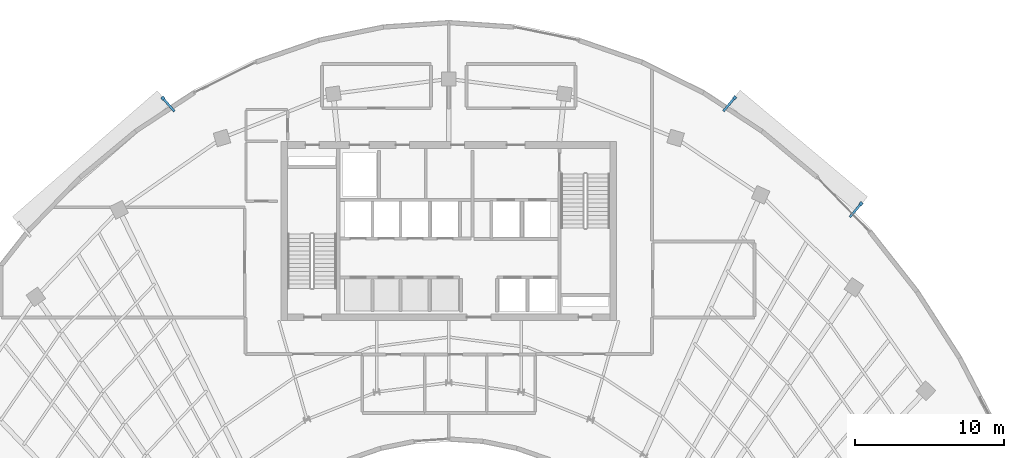
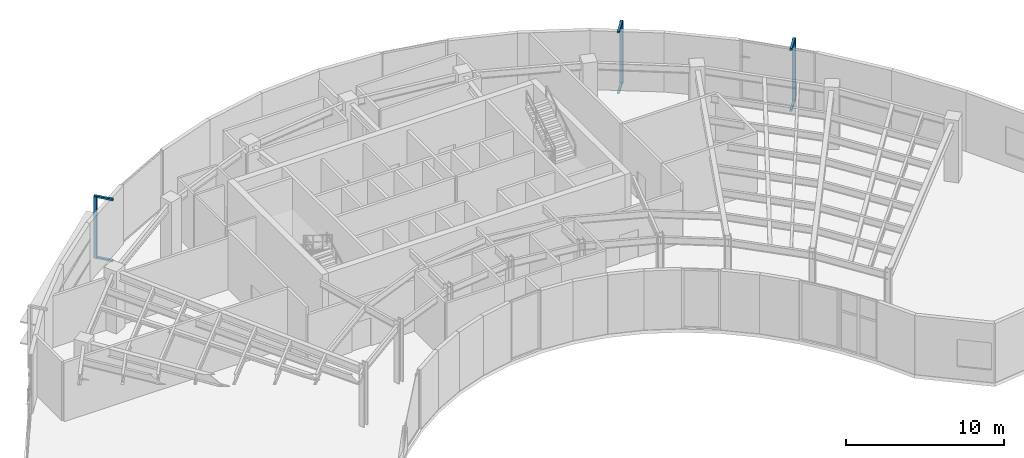
# One storey, part 12 of 15: 9 discrete accessories.
"""IFC4 building model written with IfcOpenShell, lengths in metres."""

from ifc_helpers import new_model, si_unit, direction, frame, origin, origin_2d, place, context, subcontext, project, spatial, rectangle, extrude, source, transform, mapped, material, type_object, type_shapes, element, save


model = new_model("IFC4")

# Units and contexts
model_context = context("Model", 3, precision=1e-05, world=origin(), true_north=direction((0.0, 1.0)))
body_context = subcontext(model_context, "Body", "Model", "MODEL_VIEW")
ifc_project = project(units=[si_unit("LENGTHUNIT", "METRE"), si_unit("AREAUNIT", "SQUARE_METRE"), si_unit("VOLUMEUNIT", "CUBIC_METRE"), si_unit("PLANEANGLEUNIT", "RADIAN"), si_unit("MASSUNIT", "GRAM", prefix="KILO")], contexts=[model_context])

# Site, building, storey
site_placement = place(None, origin())
site = spatial("IfcSite", under=ifc_project, at=site_placement, CompositionType="ELEMENT")
building_placement = place(site_placement, origin())
building = spatial("IfcBuilding", under=site, at=building_placement, Name="Breltana Convention Tower", CompositionType="ELEMENT")
storey_placement = place(building_placement, frame((0.0, 0.0, 199.199951171875)))
storey = spatial("IfcBuildingStorey", under=building, at=storey_placement, Name="L48", CompositionType="ELEMENT", Elevation=199.199951171875)

# Discrete accessories
ifc_material = material(Name="Steel S355", Category="steel")
discrete_accessory_type_1 = type_object("IfcDiscreteAccessoryType", Name="ACC-DSF-BRACKET-150", PredefinedType="BRACKET", material=ifc_material)
shared_shape_1 = source(origin(), body_context, "Body", "SweptSolid", [
    extrude(rectangle(XDim=1.239990234375, YDim=0.14990234375, at=origin_2d()), origin(), (0.0, 0.0, 1.0), 0.139892578125),
])
type_shapes(discrete_accessory_type_1, [shared_shape_1])
for number, where, z_axis, x_axis, name in (
    (1, (29.1953125, 74.69287109375, -0.15966796875), (0.0, 0.0, 1.0), (-0.65645174674, 0.754368016423, 0.0), "L48 double-skin slab stand-off bracket 1.2B"),
    (2, (29.1953125, 74.69287109375, 4.5400390625), (0.0, 0.0, 1.0), (-0.65645174674, 0.754368016423, 0.0), "L48 double-skin slab stand-off bracket 1.2T"),
    (3, (66.8125, 74.715087890625, -0.15966796875), (0.0, 0.0, 1.0), (0.641983760468, 0.766718234618, 0.0), "L48 double-skin slab stand-off bracket 2.1B"),
    (4, (66.8125, 74.715087890625, 4.5400390625), (0.0, 0.0, 1.0), (0.641983760468, 0.766718234618, 0.0), "L48 double-skin slab stand-off bracket 2.1T"),
    (5, (75.29150390625, 67.615478515625, -0.15966796875), (0.0, 0.0, 1.0), (0.641983760468, 0.766718234618, 0.0), "L48 double-skin slab stand-off bracket 2.2B"),
    (6, (75.29150390625, 67.615478515625, 4.5400390625), (0.0, 0.0, 1.0), (0.641983760468, 0.766718234618, 0.0), "L48 double-skin slab stand-off bracket 2.2T"),
):
    element("IfcDiscreteAccessory", number, at=place(storey_placement, frame(where, z_axis=z_axis, x_axis=x_axis)), inside=storey, type_object=discrete_accessory_type_1, Name=name, PredefinedType="BRACKET", context=body_context, shape_type="MappedRepresentation", body=[
        mapped(shared_shape_1, transform((0.0, 0.0, 0.0), scale=1.0)),
    ])
discrete_accessory_type_2 = type_object("IfcDiscreteAccessoryType", Name="ACC-DSF-CARRIER-150", PredefinedType="BRACKET", material=ifc_material)
shared_shape_2 = source(origin(), body_context, "Body", "SweptSolid", [
    extrude(rectangle(XDim=0.219970703125, YDim=0.219970703125, at=origin_2d()), origin(), (0.0, 0.0, 1.0), 4.760009765625),
])
for number, where, z_axis, x_axis, name in (
    (7, (28.82763671875, 75.115478515625, -0.1201171875), (0.0, 0.0, 1.0), (-0.65645174674, 0.754368016423, 0.0), "L48 double-skin outer vertical carrier 1.2"),
    (8, (67.172119140625, 75.144287109375, -0.1201171875), (0.0, 0.0, 1.0), (0.641983760468, 0.766718234618, 0.0), "L48 double-skin outer vertical carrier 2.1"),
    (9, (75.65087890625, 68.044921875, -0.1201171875), (0.0, 0.0, 1.0), (0.641983760468, 0.766718234618, 0.0), "L48 double-skin outer vertical carrier 2.2"),
):
    element("IfcDiscreteAccessory", number, at=place(storey_placement, frame(where, z_axis=z_axis, x_axis=x_axis)), inside=storey, type_object=discrete_accessory_type_2, Name=name, PredefinedType="BRACKET", context=body_context, shape_type="MappedRepresentation", body=[
        mapped(shared_shape_2, transform((0.0, 0.0, 0.0), scale=1.0)),
    ])

save(model, "model.ifc")
